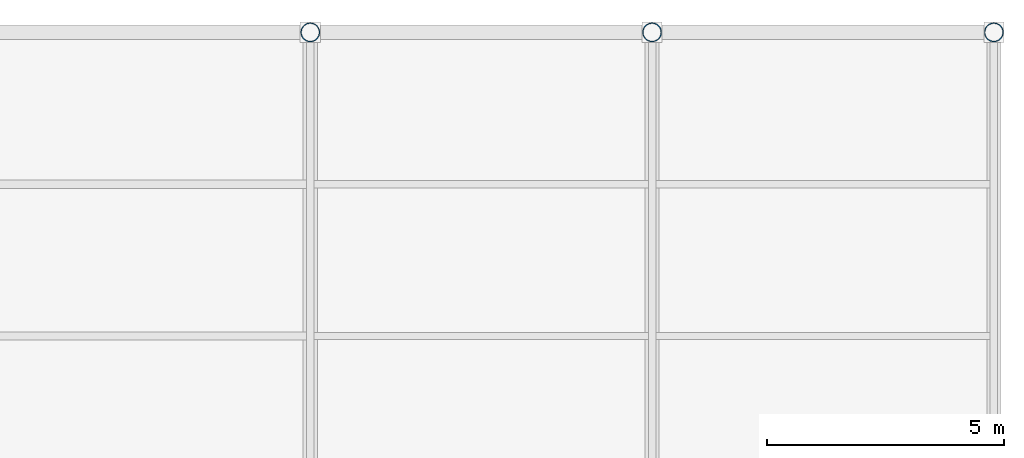
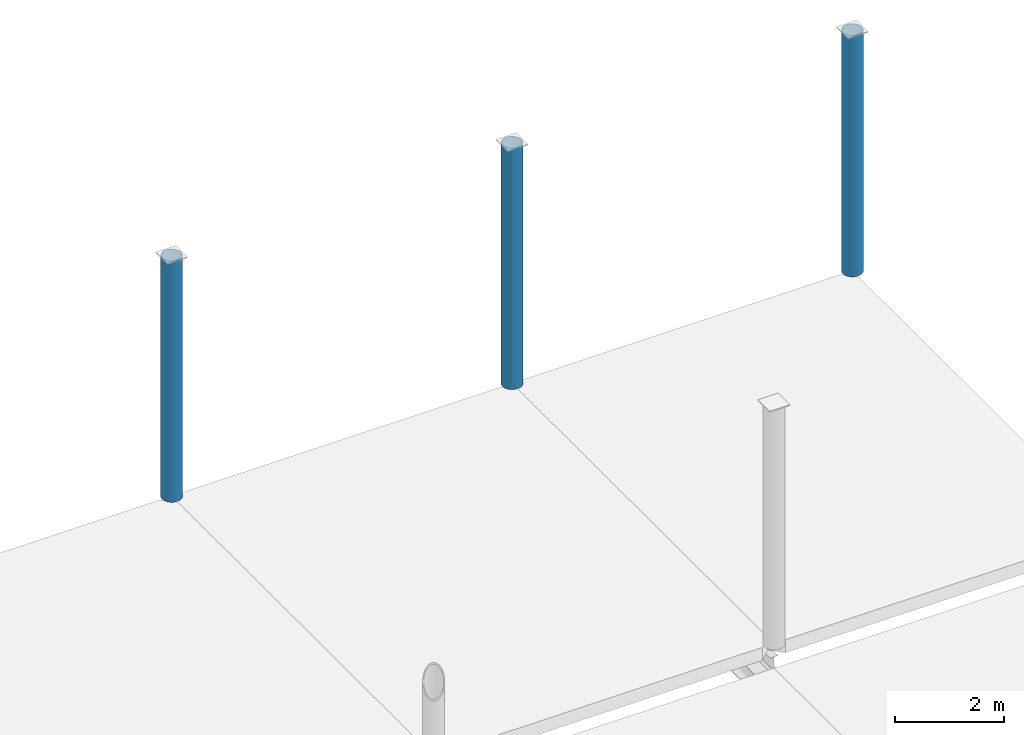
# One storey, part 25 of 85: 3 columns.
"""IFC4 building model written with IfcOpenShell, lengths in metres."""

from ifc_helpers import new_model, si_unit, direction, frame, origin, origin_2d, place, context, subcontext, project, spatial, hollow_circle, extrude, material, material_profile, profile_set, type_object, element, save


model = new_model("IFC4")

# Units and contexts
model_context = context("Model", 3, precision=1e-05, world=origin(), true_north=direction((0.0, 1.0)))
body_context = subcontext(model_context, "Body", "Model", "MODEL_VIEW")
ifc_project = project(units=[si_unit("LENGTHUNIT", "METRE"), si_unit("AREAUNIT", "SQUARE_METRE"), si_unit("VOLUMEUNIT", "CUBIC_METRE"), si_unit("PLANEANGLEUNIT", "RADIAN"), si_unit("MASSUNIT", "GRAM", prefix="KILO")], contexts=[model_context])

# Site, building, storey
site_placement = place(None, origin())
site = spatial("IfcSite", under=ifc_project, at=site_placement, CompositionType="ELEMENT")
building_placement = place(site_placement, origin())
building = spatial("IfcBuilding", under=site, at=building_placement, Name="Zarnetskaya Central Station", CompositionType="ELEMENT")
storey_placement = place(building_placement, origin())
storey = spatial("IfcBuildingStorey", under=building, at=storey_placement, Name="L00", CompositionType="ELEMENT", Elevation=0.0)

# Columns
ifc_material = material(Name="Steel S355", Category="steel")
ifc_material_profile = material_profile(ifc_material, hollow_circle(Radius=0.203125, WallThickness=0.02001953125, at=origin_2d()), Name="CHS 406.4x20")
ifc_profile_set = profile_set([ifc_material_profile], Name="Steel S355")
column_type = type_object("IfcColumnType", Name="COL-V1-PCAN", PredefinedType="COLUMN", material=ifc_profile_set)
for number, where, z_axis, x_axis, name in (
    (1, (172.800048828125, 124.800048828125, 0.0), (0.0, 0.0, 1.0), (1.0, 0.0, 0.0), "Column U15 L00"),
    (2, (180.0, 124.800048828125, 0.0), (0.0, 0.0, 1.0), (1.0, 0.0, 0.0), "Column V15 L00"),
    (3, (187.199951171875, 124.800048828125, 0.0), (0.0, 0.0, 1.0), (1.0, 0.0, 0.0), "Column W15 L00"),
):
    element("IfcColumn", number, at=place(storey_placement, frame(where, z_axis=z_axis, x_axis=x_axis)), inside=storey, type_object=column_type, Name=name, PredefinedType="COLUMN", context=body_context, shape_type="SweptSolid", body=[
        extrude(hollow_circle(Radius=0.203125, WallThickness=0.02001953125, at=origin_2d()), origin(), (0.0, 0.0, 1.0), 5.387939453125),
    ])

save(model, "model.ifc")
